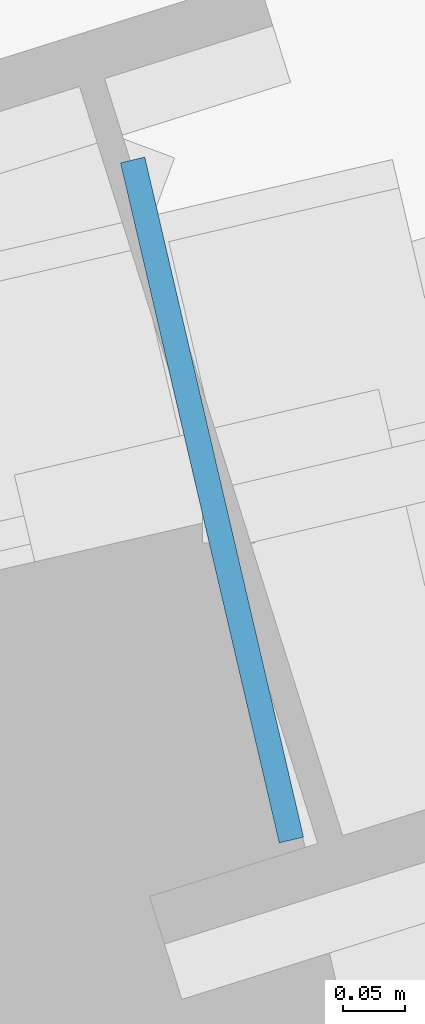
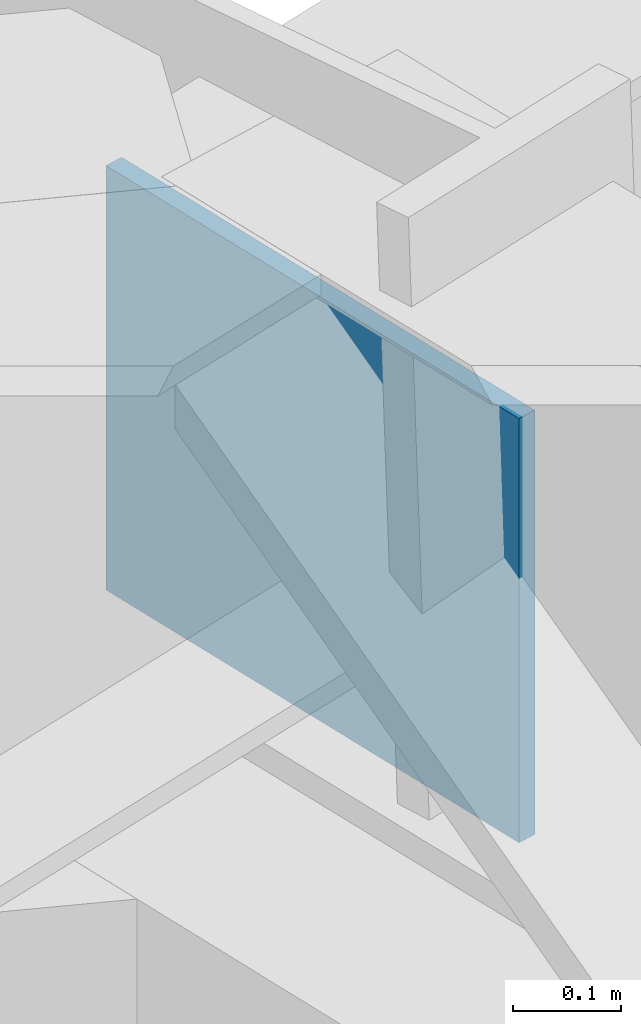
# One storey, part 13 of 21: 1 plate.
"""IFC4 building model written with IfcOpenShell, lengths in metres."""

from ifc_helpers import new_model, si_unit, direction, frame, origin, origin_2d, place, context, subcontext, project, spatial, rectangle, extrude, source, transform, mapped, material, type_object, element, save


model = new_model("IFC4")

# Units and contexts
model_context = context("Model", 3, precision=1e-05, world=origin(), true_north=direction((0.0, 1.0)))
body_context = subcontext(model_context, "Body", "Model", "MODEL_VIEW")
ifc_project = project(units=[si_unit("LENGTHUNIT", "METRE"), si_unit("AREAUNIT", "SQUARE_METRE"), si_unit("VOLUMEUNIT", "CUBIC_METRE"), si_unit("PLANEANGLEUNIT", "RADIAN"), si_unit("MASSUNIT", "GRAM", prefix="KILO")], contexts=[model_context])

# Site, building, storey
site_placement = place(None, origin())
site = spatial("IfcSite", under=ifc_project, at=site_placement, CompositionType="ELEMENT")
building_placement = place(site_placement, origin())
building = spatial("IfcBuilding", under=site, at=building_placement, Name="Olszyna Solenne Hotel", CompositionType="ELEMENT")
storey_placement = place(building_placement, frame((0.0, 0.0, 91.5)))
storey = spatial("IfcBuildingStorey", under=building, at=storey_placement, Name="L23", CompositionType="ELEMENT", Elevation=91.5)

# Plate
ifc_material = material(Name="Steel S355J2", Category="steel")
plate_type = type_object("IfcPlateType", Name="GP-ND2", PredefinedType="USERDEFINED", material=ifc_material)
shared_shape = source(origin(), body_context, "Body", "SweptSolid", [
    extrude(rectangle(XDim=0.56005859375, YDim=0.02001953125, at=origin_2d()), origin(), (0.0, 0.0, 1.0), 0.47998046875),
])
plate_placement = place(storey_placement, frame((66.980712890625, 35.63818359375, 2.651123046875), z_axis=(0.0, 0.0, 1.0), x_axis=(-0.227331215647, 0.973817497477, 0.0)))
element("IfcPlate", 1, at=plate_placement, inside=storey, type_object=plate_type, Name="Brace end connection gusset plate GP-ND2 EP-BR-L23-1-2", ObjectType="GUSSET_PLATE", PredefinedType="USERDEFINED", context=body_context, shape_type="MappedRepresentation", body=[
    mapped(shared_shape, transform((0.0, 0.0, 0.0), x_axis=(1.0, 0.0, 0.0), y_axis=(0.0, 1.0, 0.0), z_axis=(0.0, 0.0, 1.0), scale=1.0)),
])

save(model, "model.ifc")
